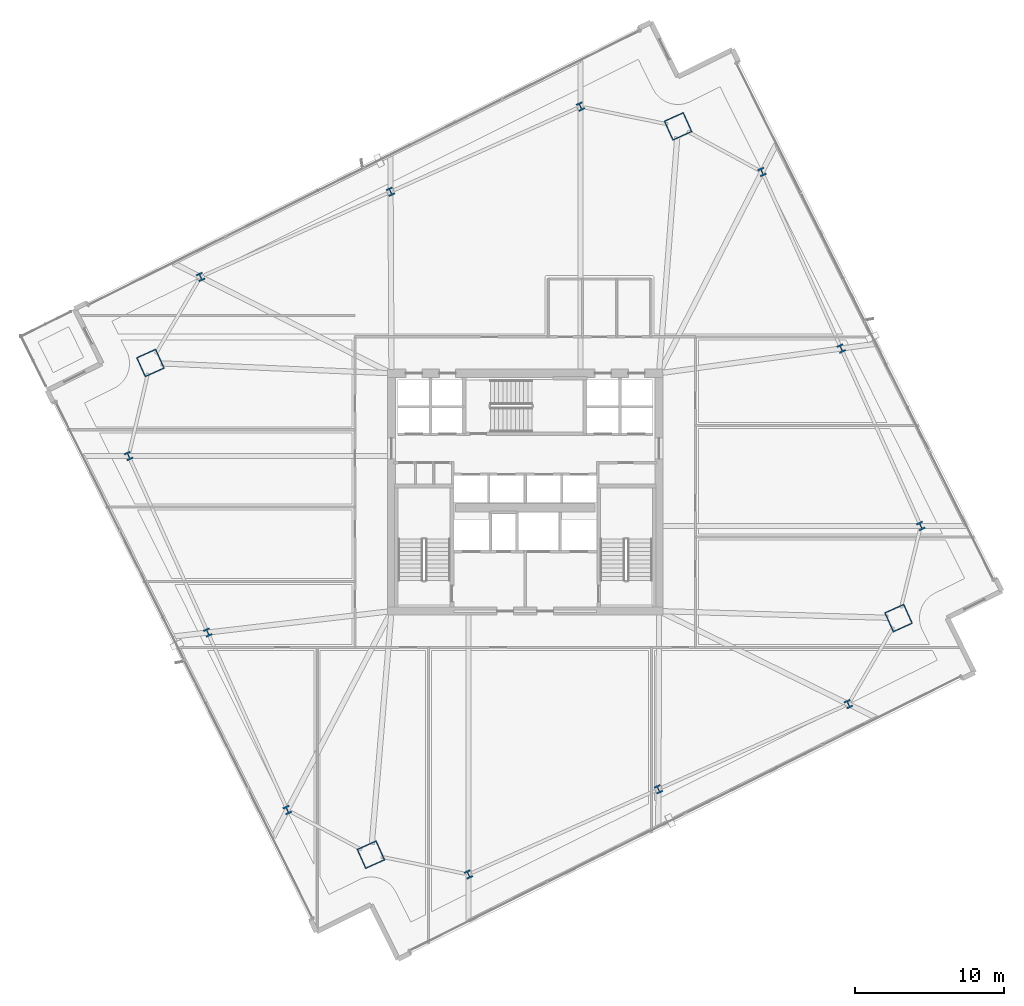
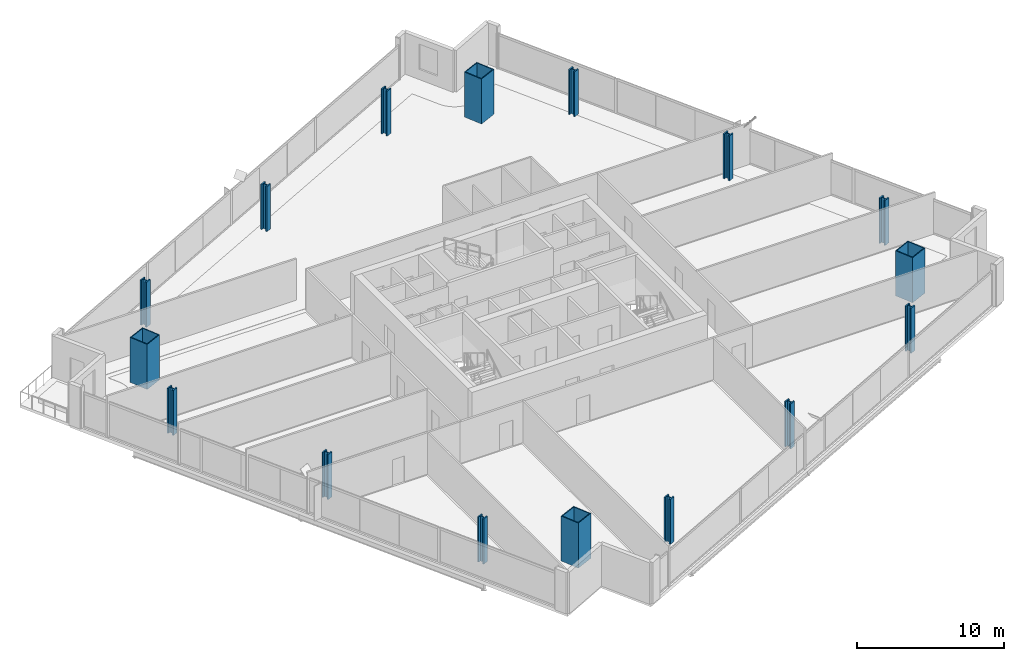
# One storey, part 1 of 35: 16 columns.
"""IFC4 building model written with IfcOpenShell, lengths in metres."""

from ifc_helpers import new_model, si_unit, direction, frame, origin, origin_2d, place, context, subcontext, project, spatial, hollow_rectangle, i_section, extrude, material, material_profile, profile_set, type_object, element, save


model = new_model("IFC4")

# Units and contexts
model_context = context("Model", 3, precision=1e-05, world=origin(), true_north=direction((0.0, 1.0)))
body_context = subcontext(model_context, "Body", "Model", "MODEL_VIEW")
ifc_project = project(units=[si_unit("LENGTHUNIT", "METRE"), si_unit("AREAUNIT", "SQUARE_METRE"), si_unit("VOLUMEUNIT", "CUBIC_METRE"), si_unit("PLANEANGLEUNIT", "RADIAN"), si_unit("MASSUNIT", "GRAM", prefix="KILO")], contexts=[model_context])

# Site, building, storey
site_placement = place(None, origin())
site = spatial("IfcSite", under=ifc_project, at=site_placement, CompositionType="ELEMENT")
building_placement = place(site_placement, origin())
building = spatial("IfcBuilding", under=site, at=building_placement, Name="Haldenkirk Collegiate Tower", CompositionType="ELEMENT")
storey_placement = place(building_placement, frame((0.0, 0.0, 116.699951171875)))
storey = spatial("IfcBuildingStorey", under=building, at=storey_placement, Name="L28", CompositionType="ELEMENT", Elevation=116.699951171875)

# Columns
ifc_material_1 = material(Name="Steel ASTM A913 Grade 65", Category="steel")
ifc_material_profile_1 = material_profile(ifc_material_1, i_section(OverallWidth=0.44189453125, OverallDepth=0.531005859375, WebThickness=0.06591796875, FlangeThickness=0.105712890625, at=origin_2d()), Name="W14X605")
ifc_profile_set_1 = profile_set([ifc_material_profile_1], Name="Steel ASTM A913 Grade 65")
column_type_1 = type_object("IfcColumnType", Name="COL-INT-W14X605", PredefinedType="COLUMN", material=ifc_profile_set_1)
for number, where, z_axis, x_axis, name in (
    (1, (32.181396484375, 0.287353515625, 0.0), (0.0, 0.0, 1.0), (0.912477494148, 0.409126902895, 0.0), "L28 perimeter gravity column PC-S1"),
    (2, (44.9599609375, 6.0166015625, 0.0), (0.0, 0.0, 1.0), (0.912477494148, 0.409126902895, 0.0), "L28 perimeter gravity column PC-S2"),
    (3, (57.73828125, 11.74609375, 0.0), (0.0, 0.0, 1.0), (0.912477494148, 0.409126902895, 0.0), "L28 perimeter gravity column PC-S3"),
    (4, (62.608642578125, 23.727294921875, 0.0), (0.0, 0.0, 1.0), (0.912477494148, 0.409126902895, 0.0), "L28 perimeter gravity column PC-E1"),
    (5, (57.255126953125, 35.667236328125, 0.0), (0.0, 0.0, 1.0), (0.912477494148, 0.409126902895, 0.0), "L28 perimeter gravity column PC-E2"),
    (6, (51.930419921875, 47.543212890625, 0.0), (0.0, 0.0, 1.0), (0.912477494148, 0.409126902895, 0.0), "L28 perimeter gravity column PC-E3"),
    (7, (39.71630859375, 51.94091796875, 0.0), (0.0, 0.0, 1.0), (0.912477494148, 0.409126902895, 0.0), "L28 perimeter gravity column PC-N1"),
    (8, (26.937744140625, 46.21142578125, 0.0), (0.0, 0.0, 1.0), (0.912477494148, 0.409126902895, 0.0), "L28 perimeter gravity column PC-N2"),
    (9, (14.159423828125, 40.48193359375, 0.0), (0.0, 0.0, 1.0), (0.912477494148, 0.409126902895, 0.0), "L28 perimeter gravity column PC-N3"),
    (10, (9.317626953125, 28.436767578125, 0.0), (0.0, 0.0, 1.0), (0.912477494148, 0.409126902895, 0.0), "L28 perimeter gravity column PC-W1"),
    (11, (14.642578125, 16.560791015625, 0.0), (0.0, 0.0, 1.0), (0.912477494148, 0.409126902895, 0.0), "L28 perimeter gravity column PC-W2"),
    (12, (19.995849609375, 4.62109375, 0.0), (0.0, 0.0, 1.0), (0.912477494148, 0.409126902895, 0.0), "L28 perimeter gravity column PC-W3"),
):
    element("IfcColumn", number, at=place(storey_placement, frame(where, z_axis=z_axis, x_axis=x_axis)), inside=storey, type_object=column_type_1, Name=name, PredefinedType="COLUMN", context=body_context, shape_type="SweptSolid", body=[
        extrude(i_section(OverallWidth=0.44189453125, OverallDepth=0.531005859375, WebThickness=0.06591796875, FlangeThickness=0.105712890625, at=origin_2d()), origin(), (0.0, 0.0, 1.0), 3.75),
    ])
ifc_material_2 = material(Name="Steel ASTM A572 Grade 50", Category="steel")
ifc_material_profile_2 = material_profile(ifc_material_2, hollow_rectangle(XDim=1.449951171875, YDim=1.449951171875, WallThickness=0.070068359375, at=origin_2d()), Name="BOX1450X1450X70")
ifc_profile_set_2 = profile_set([ifc_material_profile_2], Name="Steel ASTM A572 Grade 50")
column_type_2 = type_object("IfcColumnType", Name="COL-MEGA-BOX1450X1450X70", PredefinedType="COLUMN", material=ifc_profile_set_2)
for number, where, z_axis, x_axis, name in (
    (13, (25.61669921875, 1.617919921875, 0.0), (0.0, 0.0, 1.0), (0.912477494148, 0.409126902895, 0.0), "L28 corner mega-column MC1"),
    (14, (61.112060546875, 17.532958984375, 0.0), (0.0, 0.0, 1.0), (0.912477494148, 0.409126902895, 0.0), "L28 corner mega-column MC2"),
    (15, (46.281005859375, 50.610107421875, 0.0), (0.0, 0.0, 1.0), (0.912477494148, 0.409126902895, 0.0), "L28 corner mega-column MC3"),
    (16, (10.78564453125, 34.6953125, 0.0), (0.0, 0.0, 1.0), (0.912477494148, 0.409126902895, 0.0), "L28 corner mega-column MC4"),
):
    element("IfcColumn", number, at=place(storey_placement, frame(where, z_axis=z_axis, x_axis=x_axis)), inside=storey, type_object=column_type_2, Name=name, PredefinedType="COLUMN", context=body_context, shape_type="SweptSolid", body=[
        extrude(hollow_rectangle(XDim=1.449951171875, YDim=1.449951171875, WallThickness=0.070068359375, at=origin_2d()), origin(), (0.0, 0.0, 1.0), 3.75),
    ])

save(model, "model.ifc")
